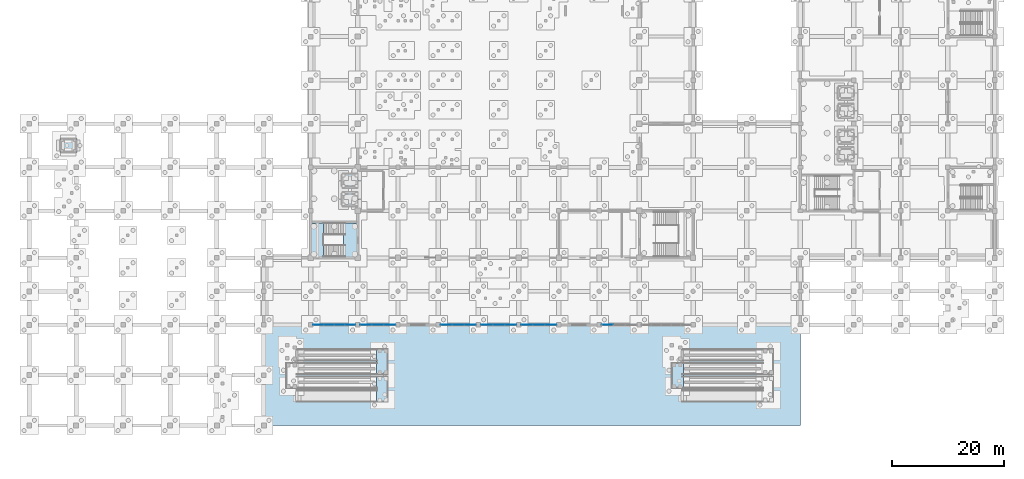
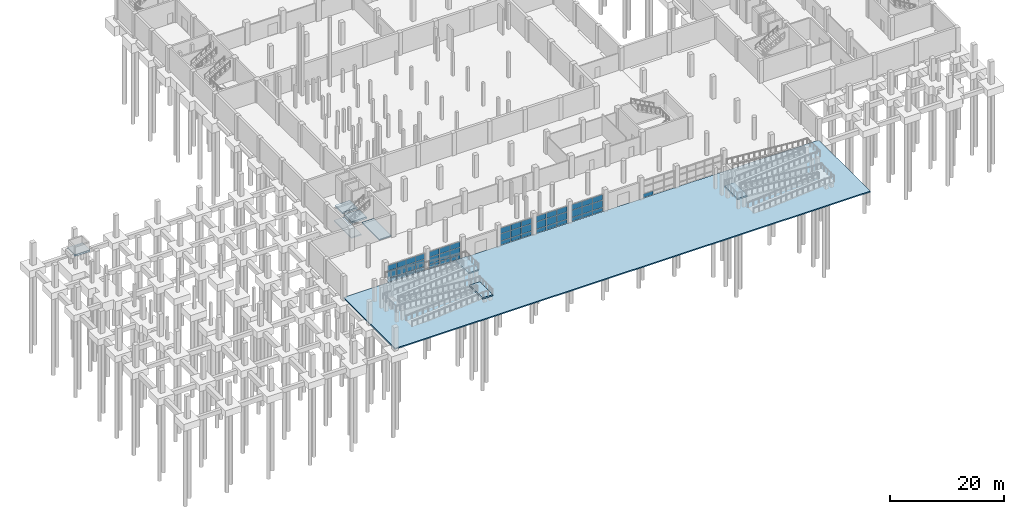
# One storey, part 26 of 42: 49 plates, 9 slabs, 9 elements without a shape of their own.
"""IFC4 building model written with IfcOpenShell, lengths in metres."""

from ifc_helpers import new_model, si_unit, direction, frame, origin, place, context, subcontext, project, spatial, polyline, outline, extrude, material, layer, layer_set, type_object, element, aggregate, save


model = new_model("IFC4")

# Units and contexts
model_context = context("Model", 3, precision=1e-05, world=origin(), true_north=direction((0.0, 1.0)))
body_context = subcontext(model_context, "Body", "Model", "MODEL_VIEW")
ifc_project = project(units=[si_unit("LENGTHUNIT", "METRE"), si_unit("AREAUNIT", "SQUARE_METRE"), si_unit("VOLUMEUNIT", "CUBIC_METRE"), si_unit("PLANEANGLEUNIT", "RADIAN"), si_unit("MASSUNIT", "GRAM", prefix="KILO")], contexts=[model_context])

# Site, building, storey
site_placement = place(None, origin())
site = spatial("IfcSite", under=ifc_project, at=site_placement, CompositionType="ELEMENT")
building_placement = place(site_placement, origin())
building = spatial("IfcBuilding", under=site, at=building_placement, Name="Pellamere Symphony Hall", CompositionType="ELEMENT")
storey_placement = place(building_placement, frame((0.0, 0.0, -4.800048828125)))
storey = spatial("IfcBuildingStorey", under=building, at=storey_placement, Name="B1", CompositionType="ELEMENT", Elevation=-4.800048828125)

# Curtain wall, plates
ifc_material_1 = material(Name="Thermally Broken Anodised Aluminium 6063-T6 Curtain Wall", Category="aluminium")
curtain_wall_type = type_object("IfcCurtainWallType", Name="Curtain Wall CW-02 (Winter-Garden South Concourse Curtain Wall)", PredefinedType="NOTDEFINED", material=ifc_material_1)
curtain_wall_1_placement = place(storey_placement, origin())
curtain_wall_1 = element("IfcCurtainWall", 1, at=curtain_wall_1_placement, inside=storey, type_object=curtain_wall_type, Name="Winter-Garden South Curtain Wall (B1 Bay 1)", PredefinedType="NOTDEFINED")
ifc_material_2 = material(Name="Triple Low-E Argon Acoustic Glazing 36mm", Category="glass")
ifc_layer_1 = layer(ifc_material_2, 0.035888671875, Name="Triple Low-E Argon Acoustic Glazing 36mm")
ifc_layer_set_1 = layer_set([ifc_layer_1], Name="Triple Low-E Argon Acoustic Glazing 36mm")
plate_type_1 = type_object("IfcPlateType", Name="Facade Panel GL-01 36mm", PredefinedType="CURTAIN_PANEL", material=ifc_layer_set_1)
plate_1_placement = place(storey_placement, frame((50.864990234375, 18.0, 0.06494140625), z_axis=(0.0, -1.0, 0.0), x_axis=(1.0, 0.0, 0.0)))
plate_1 = element("IfcPlate", 2, at=plate_1_placement, type_object=plate_type_1, Name="CW2-057 crystal glass panel 1.1", PredefinedType="CURTAIN_PANEL", context=body_context, shape_type="SweptSolid", body=[
    extrude(outline(polyline([(0.0, 0.0), (1.802490234375, 0.0), (1.802490234375, 0.7978515625), (0.0, 0.7978515625), (0.0, 0.0)])), origin(), (0.0, 0.0, -1.0), 0.035888671875),
])
plate_2_placement = place(storey_placement, frame((50.864990234375, 18.0, 0.927734375), z_axis=(0.0, -1.0, 0.0), x_axis=(1.0, 0.0, 0.0)))
plate_2 = element("IfcPlate", 3, at=plate_2_placement, type_object=plate_type_1, Name="CW2-057 crystal glass panel 1.2", PredefinedType="CURTAIN_PANEL", context=body_context, shape_type="SweptSolid", body=[
    extrude(outline(polyline([(0.0, 0.0), (1.802490234375, 0.0), (1.802490234375, 1.501708984375), (0.0, 1.501708984375), (0.0, 0.0)])), origin(), (0.0, 0.0, -1.0), 0.035888671875),
])
plate_3_placement = place(storey_placement, frame((50.864990234375, 18.0, 2.494384765625), z_axis=(0.0, -1.0, 0.0), x_axis=(1.0, 0.0, 0.0)))
plate_3 = element("IfcPlate", 4, at=plate_3_placement, type_object=plate_type_1, Name="CW2-057 crystal glass panel 1.3", PredefinedType="CURTAIN_PANEL", context=body_context, shape_type="SweptSolid", body=[
    extrude(outline(polyline([(0.0, 0.0), (1.802490234375, 0.0), (1.802490234375, 1.170654296875), (0.0, 1.170654296875), (0.0, 0.0)])), origin(), (0.0, 0.0, -1.0), 0.035888671875),
])
plate_4_placement = place(storey_placement, frame((52.732421875, 18.0, 0.06494140625), z_axis=(0.0, -1.0, 0.0), x_axis=(1.0, 0.0, 0.0)))
plate_4 = element("IfcPlate", 5, at=plate_4_placement, type_object=plate_type_1, Name="CW2-057 crystal glass panel 2.1", PredefinedType="CURTAIN_PANEL", context=body_context, shape_type="SweptSolid", body=[
    extrude(outline(polyline([(0.0, 0.0), (1.8349609375, 0.0), (1.8349609375, 0.7978515625), (0.0, 0.7978515625), (0.0, 0.0)])), origin(), (0.0, 0.0, -1.0), 0.035888671875),
])
plate_5_placement = place(storey_placement, frame((52.732421875, 18.0, 0.927734375), z_axis=(0.0, -1.0, 0.0), x_axis=(1.0, 0.0, 0.0)))
plate_5 = element("IfcPlate", 6, at=plate_5_placement, type_object=plate_type_1, Name="CW2-057 crystal glass panel 2.2", PredefinedType="CURTAIN_PANEL", context=body_context, shape_type="SweptSolid", body=[
    extrude(outline(polyline([(0.0, 0.0), (1.8349609375, 0.0), (1.8349609375, 1.501708984375), (0.0, 1.501708984375), (0.0, 0.0)])), origin(), (0.0, 0.0, -1.0), 0.035888671875),
])
plate_6_placement = place(storey_placement, frame((52.732421875, 18.0, 2.494384765625), z_axis=(0.0, -1.0, 0.0), x_axis=(1.0, 0.0, 0.0)))
plate_6 = element("IfcPlate", 7, at=plate_6_placement, type_object=plate_type_1, Name="CW2-057 crystal glass panel 2.3", PredefinedType="CURTAIN_PANEL", context=body_context, shape_type="SweptSolid", body=[
    extrude(outline(polyline([(0.0, 0.0), (1.8349609375, 0.0), (1.8349609375, 1.170654296875), (0.0, 1.170654296875), (0.0, 0.0)])), origin(), (0.0, 0.0, -1.0), 0.035888671875),
])
plate_7_placement = place(storey_placement, frame((54.632568359375, 18.0, 0.06494140625), z_axis=(0.0, -1.0, 0.0), x_axis=(1.0, 0.0, 0.0)))
plate_7 = element("IfcPlate", 8, at=plate_7_placement, type_object=plate_type_1, Name="CW2-057 crystal glass panel 3.1", PredefinedType="CURTAIN_PANEL", context=body_context, shape_type="SweptSolid", body=[
    extrude(outline(polyline([(0.0, 0.0), (1.8349609375, 0.0), (1.8349609375, 0.7978515625), (0.0, 0.7978515625), (0.0, 0.0)])), origin(), (0.0, 0.0, -1.0), 0.035888671875),
])
plate_8_placement = place(storey_placement, frame((54.632568359375, 18.0, 0.927734375), z_axis=(0.0, -1.0, 0.0), x_axis=(1.0, 0.0, 0.0)))
plate_8 = element("IfcPlate", 9, at=plate_8_placement, type_object=plate_type_1, Name="CW2-057 crystal glass panel 3.2", PredefinedType="CURTAIN_PANEL", context=body_context, shape_type="SweptSolid", body=[
    extrude(outline(polyline([(0.0, 0.0), (1.8349609375, 0.0), (1.8349609375, 1.501708984375), (0.0, 1.501708984375), (0.0, 0.0)])), origin(), (0.0, 0.0, -1.0), 0.035888671875),
])
plate_9_placement = place(storey_placement, frame((54.632568359375, 18.0, 2.494384765625), z_axis=(0.0, -1.0, 0.0), x_axis=(1.0, 0.0, 0.0)))
plate_9 = element("IfcPlate", 10, at=plate_9_placement, type_object=plate_type_1, Name="CW2-057 crystal glass panel 3.3", PredefinedType="CURTAIN_PANEL", context=body_context, shape_type="SweptSolid", body=[
    extrude(outline(polyline([(0.0, 0.0), (1.8349609375, 0.0), (1.8349609375, 1.170654296875), (0.0, 1.170654296875), (0.0, 0.0)])), origin(), (0.0, 0.0, -1.0), 0.035888671875),
])
plate_10_placement = place(storey_placement, frame((56.532470703125, 18.0, 0.06494140625), z_axis=(0.0, -1.0, 0.0), x_axis=(1.0, 0.0, 0.0)))
plate_10 = element("IfcPlate", 11, at=plate_10_placement, type_object=plate_type_1, Name="CW2-057 crystal glass panel 4.1", PredefinedType="CURTAIN_PANEL", context=body_context, shape_type="SweptSolid", body=[
    extrude(outline(polyline([(0.0, 0.0), (1.802490234375, 0.0), (1.802490234375, 0.7978515625), (0.0, 0.7978515625), (0.0, 0.0)])), origin(), (0.0, 0.0, -1.0), 0.035888671875),
])
plate_11_placement = place(storey_placement, frame((56.532470703125, 18.0, 0.927734375), z_axis=(0.0, -1.0, 0.0), x_axis=(1.0, 0.0, 0.0)))
plate_11 = element("IfcPlate", 12, at=plate_11_placement, type_object=plate_type_1, Name="CW2-057 crystal glass panel 4.2", PredefinedType="CURTAIN_PANEL", context=body_context, shape_type="SweptSolid", body=[
    extrude(outline(polyline([(0.0, 0.0), (1.802490234375, 0.0), (1.802490234375, 1.501708984375), (0.0, 1.501708984375), (0.0, 0.0)])), origin(), (0.0, 0.0, -1.0), 0.035888671875),
])
plate_12_placement = place(storey_placement, frame((56.532470703125, 18.0, 2.494384765625), z_axis=(0.0, -1.0, 0.0), x_axis=(1.0, 0.0, 0.0)))
plate_12 = element("IfcPlate", 13, at=plate_12_placement, type_object=plate_type_1, Name="CW2-057 crystal glass panel 4.3", PredefinedType="CURTAIN_PANEL", context=body_context, shape_type="SweptSolid", body=[
    extrude(outline(polyline([(0.0, 0.0), (1.802490234375, 0.0), (1.802490234375, 1.170654296875), (0.0, 1.170654296875), (0.0, 0.0)])), origin(), (0.0, 0.0, -1.0), 0.035888671875),
])
aggregate(curtain_wall_1, [plate_1, plate_2, plate_3, plate_4, plate_5, plate_6, plate_7, plate_8, plate_9, plate_10, plate_11, plate_12])

curtain_wall_2_placement = place(storey_placement, origin())
curtain_wall_2 = element("IfcCurtainWall", 14, at=curtain_wall_2_placement, inside=storey, type_object=curtain_wall_type, Name="Winter-Garden South Curtain Wall (B1 Bay 2)", PredefinedType="NOTDEFINED")
plate_13_placement = place(storey_placement, frame((59.264892578125, 18.0, 0.06494140625), z_axis=(0.0, -1.0, 0.0), x_axis=(1.0, 0.0, 0.0)))
plate_13 = element("IfcPlate", 15, at=plate_13_placement, type_object=plate_type_1, Name="CW2-058 crystal glass panel 1.1", PredefinedType="CURTAIN_PANEL", context=body_context, shape_type="SweptSolid", body=[
    extrude(outline(polyline([(0.0, 0.0), (2.035888671875, 0.0), (2.035888671875, 0.7978515625), (0.0, 0.7978515625), (0.0, 0.0)])), origin(), (0.0, 0.0, -1.0), 0.035888671875),
])
plate_14_placement = place(storey_placement, frame((59.264892578125, 18.0, 0.927734375), z_axis=(0.0, -1.0, 0.0), x_axis=(1.0, 0.0, 0.0)))
plate_14 = element("IfcPlate", 16, at=plate_14_placement, type_object=plate_type_1, Name="CW2-058 crystal glass panel 1.2", PredefinedType="CURTAIN_PANEL", context=body_context, shape_type="SweptSolid", body=[
    extrude(outline(polyline([(0.0, 0.0), (2.035888671875, 0.0), (2.035888671875, 1.501708984375), (0.0, 1.501708984375), (0.0, 0.0)])), origin(), (0.0, 0.0, -1.0), 0.035888671875),
])
plate_15_placement = place(storey_placement, frame((59.264892578125, 18.0, 2.494384765625), z_axis=(0.0, -1.0, 0.0), x_axis=(1.0, 0.0, 0.0)))
plate_15 = element("IfcPlate", 17, at=plate_15_placement, type_object=plate_type_1, Name="CW2-058 crystal glass panel 1.3", PredefinedType="CURTAIN_PANEL", context=body_context, shape_type="SweptSolid", body=[
    extrude(outline(polyline([(0.0, 0.0), (2.035888671875, 0.0), (2.035888671875, 1.170654296875), (0.0, 1.170654296875), (0.0, 0.0)])), origin(), (0.0, 0.0, -1.0), 0.035888671875),
])
plate_16_placement = place(storey_placement, frame((61.36572265625, 18.0, 0.06494140625), z_axis=(0.0, -1.0, 0.0), x_axis=(1.0, 0.0, 0.0)))
plate_16 = element("IfcPlate", 18, at=plate_16_placement, type_object=plate_type_1, Name="CW2-058 crystal glass panel 2.1", PredefinedType="CURTAIN_PANEL", context=body_context, shape_type="SweptSolid", body=[
    extrude(outline(polyline([(0.0, 0.0), (2.068359375, 0.0), (2.068359375, 0.7978515625), (0.0, 0.7978515625), (0.0, 0.0)])), origin(), (0.0, 0.0, -1.0), 0.035888671875),
])
plate_17_placement = place(storey_placement, frame((61.36572265625, 18.0, 0.927734375), z_axis=(0.0, -1.0, 0.0), x_axis=(1.0, 0.0, 0.0)))
plate_17 = element("IfcPlate", 19, at=plate_17_placement, type_object=plate_type_1, Name="CW2-058 crystal glass panel 2.2", PredefinedType="CURTAIN_PANEL", context=body_context, shape_type="SweptSolid", body=[
    extrude(outline(polyline([(0.0, 0.0), (2.068359375, 0.0), (2.068359375, 1.501708984375), (0.0, 1.501708984375), (0.0, 0.0)])), origin(), (0.0, 0.0, -1.0), 0.035888671875),
])
plate_18_placement = place(storey_placement, frame((61.36572265625, 18.0, 2.494384765625), z_axis=(0.0, -1.0, 0.0), x_axis=(1.0, 0.0, 0.0)))
plate_18 = element("IfcPlate", 20, at=plate_18_placement, type_object=plate_type_1, Name="CW2-058 crystal glass panel 2.3", PredefinedType="CURTAIN_PANEL", context=body_context, shape_type="SweptSolid", body=[
    extrude(outline(polyline([(0.0, 0.0), (2.068359375, 0.0), (2.068359375, 1.170654296875), (0.0, 1.170654296875), (0.0, 0.0)])), origin(), (0.0, 0.0, -1.0), 0.035888671875),
])
plate_19_placement = place(storey_placement, frame((63.499267578125, 18.0, 0.06494140625), z_axis=(0.0, -1.0, 0.0), x_axis=(1.0, 0.0, 0.0)))
plate_19 = element("IfcPlate", 21, at=plate_19_placement, type_object=plate_type_1, Name="CW2-058 crystal glass panel 3.1", PredefinedType="CURTAIN_PANEL", context=body_context, shape_type="SweptSolid", body=[
    extrude(outline(polyline([(0.0, 0.0), (2.03564453125, 0.0), (2.03564453125, 0.7978515625), (0.0, 0.7978515625), (0.0, 0.0)])), origin(), (0.0, 0.0, -1.0), 0.035888671875),
])
plate_20_placement = place(storey_placement, frame((63.499267578125, 18.0, 0.927734375), z_axis=(0.0, -1.0, 0.0), x_axis=(1.0, 0.0, 0.0)))
plate_20 = element("IfcPlate", 22, at=plate_20_placement, type_object=plate_type_1, Name="CW2-058 crystal glass panel 3.2", PredefinedType="CURTAIN_PANEL", context=body_context, shape_type="SweptSolid", body=[
    extrude(outline(polyline([(0.0, 0.0), (2.03564453125, 0.0), (2.03564453125, 1.501708984375), (0.0, 1.501708984375), (0.0, 0.0)])), origin(), (0.0, 0.0, -1.0), 0.035888671875),
])
plate_21_placement = place(storey_placement, frame((63.499267578125, 18.0, 2.494384765625), z_axis=(0.0, -1.0, 0.0), x_axis=(1.0, 0.0, 0.0)))
plate_21 = element("IfcPlate", 23, at=plate_21_placement, type_object=plate_type_1, Name="CW2-058 crystal glass panel 3.3", PredefinedType="CURTAIN_PANEL", context=body_context, shape_type="SweptSolid", body=[
    extrude(outline(polyline([(0.0, 0.0), (2.03564453125, 0.0), (2.03564453125, 1.170654296875), (0.0, 1.170654296875), (0.0, 0.0)])), origin(), (0.0, 0.0, -1.0), 0.035888671875),
])
aggregate(curtain_wall_2, [plate_13, plate_14, plate_15, plate_16, plate_17, plate_18, plate_19, plate_20, plate_21])

curtain_wall_3_placement = place(storey_placement, origin())
curtain_wall_3 = element("IfcCurtainWall", 24, at=curtain_wall_3_placement, inside=storey, type_object=curtain_wall_type, Name="Winter-Garden South Curtain Wall (B1 Bay 4)", PredefinedType="NOTDEFINED")
plate_22_placement = place(storey_placement, frame((73.6650390625, 18.0, 0.06494140625), z_axis=(0.0, -1.0, 0.0), x_axis=(1.0, 0.0, 0.0)))
plate_22 = element("IfcPlate", 25, at=plate_22_placement, type_object=plate_type_1, Name="CW2-059 crystal glass panel 1.1", PredefinedType="CURTAIN_PANEL", context=body_context, shape_type="SweptSolid", body=[
    extrude(outline(polyline([(0.0, 0.0), (2.035888671875, 0.0), (2.035888671875, 0.7978515625), (0.0, 0.7978515625), (0.0, 0.0)])), origin(), (0.0, 0.0, -1.0), 0.035888671875),
])
plate_23_placement = place(storey_placement, frame((73.6650390625, 18.0, 0.927734375), z_axis=(0.0, -1.0, 0.0), x_axis=(1.0, 0.0, 0.0)))
plate_23 = element("IfcPlate", 26, at=plate_23_placement, type_object=plate_type_1, Name="CW2-059 crystal glass panel 1.2", PredefinedType="CURTAIN_PANEL", context=body_context, shape_type="SweptSolid", body=[
    extrude(outline(polyline([(0.0, 0.0), (2.035888671875, 0.0), (2.035888671875, 1.501708984375), (0.0, 1.501708984375), (0.0, 0.0)])), origin(), (0.0, 0.0, -1.0), 0.035888671875),
])
plate_24_placement = place(storey_placement, frame((73.6650390625, 18.0, 2.494384765625), z_axis=(0.0, -1.0, 0.0), x_axis=(1.0, 0.0, 0.0)))
plate_24 = element("IfcPlate", 27, at=plate_24_placement, type_object=plate_type_1, Name="CW2-059 crystal glass panel 1.3", PredefinedType="CURTAIN_PANEL", context=body_context, shape_type="SweptSolid", body=[
    extrude(outline(polyline([(0.0, 0.0), (2.035888671875, 0.0), (2.035888671875, 1.170654296875), (0.0, 1.170654296875), (0.0, 0.0)])), origin(), (0.0, 0.0, -1.0), 0.035888671875),
])
plate_25_placement = place(storey_placement, frame((75.765869140625, 18.0, 0.06494140625), z_axis=(0.0, -1.0, 0.0), x_axis=(1.0, 0.0, 0.0)))
plate_25 = element("IfcPlate", 28, at=plate_25_placement, type_object=plate_type_1, Name="CW2-059 crystal glass panel 2.1", PredefinedType="CURTAIN_PANEL", context=body_context, shape_type="SweptSolid", body=[
    extrude(outline(polyline([(0.0, 0.0), (2.068359375, 0.0), (2.068359375, 0.7978515625), (0.0, 0.7978515625), (0.0, 0.0)])), origin(), (0.0, 0.0, -1.0), 0.035888671875),
])
plate_26_placement = place(storey_placement, frame((75.765869140625, 18.0, 0.927734375), z_axis=(0.0, -1.0, 0.0), x_axis=(1.0, 0.0, 0.0)))
plate_26 = element("IfcPlate", 29, at=plate_26_placement, type_object=plate_type_1, Name="CW2-059 crystal glass panel 2.2", PredefinedType="CURTAIN_PANEL", context=body_context, shape_type="SweptSolid", body=[
    extrude(outline(polyline([(0.0, 0.0), (2.068359375, 0.0), (2.068359375, 1.501708984375), (0.0, 1.501708984375), (0.0, 0.0)])), origin(), (0.0, 0.0, -1.0), 0.035888671875),
])
plate_27_placement = place(storey_placement, frame((75.765869140625, 18.0, 2.494384765625), z_axis=(0.0, -1.0, 0.0), x_axis=(1.0, 0.0, 0.0)))
plate_27 = element("IfcPlate", 30, at=plate_27_placement, type_object=plate_type_1, Name="CW2-059 crystal glass panel 2.3", PredefinedType="CURTAIN_PANEL", context=body_context, shape_type="SweptSolid", body=[
    extrude(outline(polyline([(0.0, 0.0), (2.068359375, 0.0), (2.068359375, 1.170654296875), (0.0, 1.170654296875), (0.0, 0.0)])), origin(), (0.0, 0.0, -1.0), 0.035888671875),
])
plate_28_placement = place(storey_placement, frame((77.899169921875, 18.0, 0.06494140625), z_axis=(0.0, -1.0, 0.0), x_axis=(1.0, 0.0, 0.0)))
plate_28 = element("IfcPlate", 31, at=plate_28_placement, type_object=plate_type_1, Name="CW2-059 crystal glass panel 3.1", PredefinedType="CURTAIN_PANEL", context=body_context, shape_type="SweptSolid", body=[
    extrude(outline(polyline([(0.0, 0.0), (2.035888671875, 0.0), (2.035888671875, 0.7978515625), (0.0, 0.7978515625), (0.0, 0.0)])), origin(), (0.0, 0.0, -1.0), 0.035888671875),
])
plate_29_placement = place(storey_placement, frame((77.899169921875, 18.0, 0.927734375), z_axis=(0.0, -1.0, 0.0), x_axis=(1.0, 0.0, 0.0)))
plate_29 = element("IfcPlate", 32, at=plate_29_placement, type_object=plate_type_1, Name="CW2-059 crystal glass panel 3.2", PredefinedType="CURTAIN_PANEL", context=body_context, shape_type="SweptSolid", body=[
    extrude(outline(polyline([(0.0, 0.0), (2.035888671875, 0.0), (2.035888671875, 1.501708984375), (0.0, 1.501708984375), (0.0, 0.0)])), origin(), (0.0, 0.0, -1.0), 0.035888671875),
])
plate_30_placement = place(storey_placement, frame((77.899169921875, 18.0, 2.494384765625), z_axis=(0.0, -1.0, 0.0), x_axis=(1.0, 0.0, 0.0)))
plate_30 = element("IfcPlate", 33, at=plate_30_placement, type_object=plate_type_1, Name="CW2-059 crystal glass panel 3.3", PredefinedType="CURTAIN_PANEL", context=body_context, shape_type="SweptSolid", body=[
    extrude(outline(polyline([(0.0, 0.0), (2.035888671875, 0.0), (2.035888671875, 1.170654296875), (0.0, 1.170654296875), (0.0, 0.0)])), origin(), (0.0, 0.0, -1.0), 0.035888671875),
])
aggregate(curtain_wall_3, [plate_22, plate_23, plate_24, plate_25, plate_26, plate_27, plate_28, plate_29, plate_30])

curtain_wall_4_placement = place(storey_placement, origin())
curtain_wall_4 = element("IfcCurtainWall", 34, at=curtain_wall_4_placement, inside=storey, type_object=curtain_wall_type, Name="Winter-Garden South Curtain Wall (B1 Bay 5)", PredefinedType="NOTDEFINED")
plate_31_placement = place(storey_placement, frame((80.864990234375, 18.0, 0.06494140625), z_axis=(0.0, -1.0, 0.0), x_axis=(1.0, 0.0, 0.0)))
plate_31 = element("IfcPlate", 35, at=plate_31_placement, type_object=plate_type_1, Name="CW2-060 crystal glass panel 1.1", PredefinedType="CURTAIN_PANEL", context=body_context, shape_type="SweptSolid", body=[
    extrude(outline(polyline([(0.0, 0.0), (2.035888671875, 0.0), (2.035888671875, 0.7978515625), (0.0, 0.7978515625), (0.0, 0.0)])), origin(), (0.0, 0.0, -1.0), 0.035888671875),
])
plate_32_placement = place(storey_placement, frame((80.864990234375, 18.0, 0.927734375), z_axis=(0.0, -1.0, 0.0), x_axis=(1.0, 0.0, 0.0)))
plate_32 = element("IfcPlate", 36, at=plate_32_placement, type_object=plate_type_1, Name="CW2-060 crystal glass panel 1.2", PredefinedType="CURTAIN_PANEL", context=body_context, shape_type="SweptSolid", body=[
    extrude(outline(polyline([(0.0, 0.0), (2.035888671875, 0.0), (2.035888671875, 1.501708984375), (0.0, 1.501708984375), (0.0, 0.0)])), origin(), (0.0, 0.0, -1.0), 0.035888671875),
])
plate_33_placement = place(storey_placement, frame((80.864990234375, 18.0, 2.494384765625), z_axis=(0.0, -1.0, 0.0), x_axis=(1.0, 0.0, 0.0)))
plate_33 = element("IfcPlate", 37, at=plate_33_placement, type_object=plate_type_1, Name="CW2-060 crystal glass panel 1.3", PredefinedType="CURTAIN_PANEL", context=body_context, shape_type="SweptSolid", body=[
    extrude(outline(polyline([(0.0, 0.0), (2.035888671875, 0.0), (2.035888671875, 1.170654296875), (0.0, 1.170654296875), (0.0, 0.0)])), origin(), (0.0, 0.0, -1.0), 0.035888671875),
])
plate_34_placement = place(storey_placement, frame((82.9658203125, 18.0, 0.06494140625), z_axis=(0.0, -1.0, 0.0), x_axis=(1.0, 0.0, 0.0)))
plate_34 = element("IfcPlate", 38, at=plate_34_placement, type_object=plate_type_1, Name="CW2-060 crystal glass panel 2.1", PredefinedType="CURTAIN_PANEL", context=body_context, shape_type="SweptSolid", body=[
    extrude(outline(polyline([(0.0, 0.0), (2.068359375, 0.0), (2.068359375, 0.7978515625), (0.0, 0.7978515625), (0.0, 0.0)])), origin(), (0.0, 0.0, -1.0), 0.035888671875),
])
plate_35_placement = place(storey_placement, frame((82.9658203125, 18.0, 0.927734375), z_axis=(0.0, -1.0, 0.0), x_axis=(1.0, 0.0, 0.0)))
plate_35 = element("IfcPlate", 39, at=plate_35_placement, type_object=plate_type_1, Name="CW2-060 crystal glass panel 2.2", PredefinedType="CURTAIN_PANEL", context=body_context, shape_type="SweptSolid", body=[
    extrude(outline(polyline([(0.0, 0.0), (2.068359375, 0.0), (2.068359375, 1.501708984375), (0.0, 1.501708984375), (0.0, 0.0)])), origin(), (0.0, 0.0, -1.0), 0.035888671875),
])
plate_36_placement = place(storey_placement, frame((82.9658203125, 18.0, 2.494384765625), z_axis=(0.0, -1.0, 0.0), x_axis=(1.0, 0.0, 0.0)))
plate_36 = element("IfcPlate", 40, at=plate_36_placement, type_object=plate_type_1, Name="CW2-060 crystal glass panel 2.3", PredefinedType="CURTAIN_PANEL", context=body_context, shape_type="SweptSolid", body=[
    extrude(outline(polyline([(0.0, 0.0), (2.068359375, 0.0), (2.068359375, 1.170654296875), (0.0, 1.170654296875), (0.0, 0.0)])), origin(), (0.0, 0.0, -1.0), 0.035888671875),
])
plate_37_placement = place(storey_placement, frame((85.09912109375, 18.0, 0.06494140625), z_axis=(0.0, -1.0, 0.0), x_axis=(1.0, 0.0, 0.0)))
plate_37 = element("IfcPlate", 41, at=plate_37_placement, type_object=plate_type_1, Name="CW2-060 crystal glass panel 3.1", PredefinedType="CURTAIN_PANEL", context=body_context, shape_type="SweptSolid", body=[
    extrude(outline(polyline([(0.0, 0.0), (2.035888671875, 0.0), (2.035888671875, 0.7978515625), (0.0, 0.7978515625), (0.0, 0.0)])), origin(), (0.0, 0.0, -1.0), 0.035888671875),
])
plate_38_placement = place(storey_placement, frame((85.09912109375, 18.0, 0.927734375), z_axis=(0.0, -1.0, 0.0), x_axis=(1.0, 0.0, 0.0)))
plate_38 = element("IfcPlate", 42, at=plate_38_placement, type_object=plate_type_1, Name="CW2-060 crystal glass panel 3.2", PredefinedType="CURTAIN_PANEL", context=body_context, shape_type="SweptSolid", body=[
    extrude(outline(polyline([(0.0, 0.0), (2.035888671875, 0.0), (2.035888671875, 1.501708984375), (0.0, 1.501708984375), (0.0, 0.0)])), origin(), (0.0, 0.0, -1.0), 0.035888671875),
])
plate_39_placement = place(storey_placement, frame((85.09912109375, 18.0, 2.494384765625), z_axis=(0.0, -1.0, 0.0), x_axis=(1.0, 0.0, 0.0)))
plate_39 = element("IfcPlate", 43, at=plate_39_placement, type_object=plate_type_1, Name="CW2-060 crystal glass panel 3.3", PredefinedType="CURTAIN_PANEL", context=body_context, shape_type="SweptSolid", body=[
    extrude(outline(polyline([(0.0, 0.0), (2.035888671875, 0.0), (2.035888671875, 1.170654296875), (0.0, 1.170654296875), (0.0, 0.0)])), origin(), (0.0, 0.0, -1.0), 0.035888671875),
])
aggregate(curtain_wall_4, [plate_31, plate_32, plate_33, plate_34, plate_35, plate_36, plate_37, plate_38, plate_39])

# Curtain wall, plate
curtain_wall_5_placement = place(storey_placement, origin())
curtain_wall_5 = element("IfcCurtainWall", 44, at=curtain_wall_5_placement, inside=storey, type_object=curtain_wall_type, Name="Winter-Garden South Curtain Wall (B1 Bay 8)", PredefinedType="NOTDEFINED")
plate_40_placement = place(storey_placement, frame((102.465087890625, 18.0, 0.06494140625), z_axis=(0.0, -1.0, 0.0), x_axis=(1.0, 0.0, 0.0)))
plate_40 = element("IfcPlate", 45, at=plate_40_placement, type_object=plate_type_1, Name="CW2-062 crystal glass panel 1.1", PredefinedType="CURTAIN_PANEL", context=body_context, shape_type="SweptSolid", body=[
    extrude(outline(polyline([(0.0, 0.0), (2.03564453125, 0.0), (2.03564453125, 0.7978515625), (0.0, 0.7978515625), (0.0, 0.0)])), origin(), (0.0, 0.0, -1.0), 0.035888671875),
])
aggregate(curtain_wall_5, [plate_40])

# Curtain wall, plates
curtain_wall_6_placement = place(storey_placement, origin())
curtain_wall_6 = element("IfcCurtainWall", 46, at=curtain_wall_6_placement, inside=storey, type_object=curtain_wall_type, Name="Winter-Garden South Curtain Wall (B1 Bay 6)", PredefinedType="NOTDEFINED")
ifc_material_3 = material(Name="Mineral-Wool Insulated Dark Zinc Spandrel Panel", Category="aluminium")
ifc_layer_2 = layer(ifc_material_3, 0.054931640625, Name="Mineral-Wool Insulated Dark Zinc Spandrel Panel")
ifc_layer_set_2 = layer_set([ifc_layer_2], Name="Mineral-Wool Insulated Dark Zinc Spandrel Panel")
plate_type_2 = type_object("IfcPlateType", Name="Facade Panel SP-02 55mm", PredefinedType="CURTAIN_PANEL", material=ifc_layer_set_2)
plate_41_placement = place(storey_placement, frame((88.06494140625, 18.0, 0.06494140625), z_axis=(0.0, -1.0, 0.0), x_axis=(1.0, 0.0, 0.0)))
plate_41 = element("IfcPlate", 47, at=plate_41_placement, type_object=plate_type_2, Name="CW2-061 crystal glass panel 1.1", PredefinedType="CURTAIN_PANEL", context=body_context, shape_type="SweptSolid", body=[
    extrude(outline(polyline([(0.0, 0.0), (2.035888671875, 0.0), (2.035888671875, 0.7978515625), (0.0, 0.7978515625), (0.0, 0.0)])), origin(), (0.0, 0.0, -1.0), 0.054931640625),
])
plate_42_placement = place(storey_placement, frame((88.06494140625, 18.0, 0.927734375), z_axis=(0.0, -1.0, 0.0), x_axis=(1.0, 0.0, 0.0)))
plate_42 = element("IfcPlate", 48, at=plate_42_placement, type_object=plate_type_2, Name="CW2-061 crystal glass panel 1.2", PredefinedType="CURTAIN_PANEL", context=body_context, shape_type="SweptSolid", body=[
    extrude(outline(polyline([(0.0, 0.0), (2.035888671875, 0.0), (2.035888671875, 1.501708984375), (0.0, 1.501708984375), (0.0, 0.0)])), origin(), (0.0, 0.0, -1.0), 0.054931640625),
])
plate_43_placement = place(storey_placement, frame((88.06494140625, 18.0, 2.494384765625), z_axis=(0.0, -1.0, 0.0), x_axis=(1.0, 0.0, 0.0)))
plate_43 = element("IfcPlate", 49, at=plate_43_placement, type_object=plate_type_2, Name="CW2-061 crystal glass panel 1.3", PredefinedType="CURTAIN_PANEL", context=body_context, shape_type="SweptSolid", body=[
    extrude(outline(polyline([(0.0, 0.0), (2.035888671875, 0.0), (2.035888671875, 1.170654296875), (0.0, 1.170654296875), (0.0, 0.0)])), origin(), (0.0, 0.0, -1.0), 0.054931640625),
])
plate_44_placement = place(storey_placement, frame((90.165771484375, 18.0, 0.06494140625), z_axis=(0.0, -1.0, 0.0), x_axis=(1.0, 0.0, 0.0)))
plate_44 = element("IfcPlate", 50, at=plate_44_placement, type_object=plate_type_2, Name="CW2-061 crystal glass panel 2.1", PredefinedType="CURTAIN_PANEL", context=body_context, shape_type="SweptSolid", body=[
    extrude(outline(polyline([(0.0, 0.0), (2.068359375, 0.0), (2.068359375, 0.7978515625), (0.0, 0.7978515625), (0.0, 0.0)])), origin(), (0.0, 0.0, -1.0), 0.054931640625),
])
plate_45_placement = place(storey_placement, frame((90.165771484375, 18.0, 0.927734375), z_axis=(0.0, -1.0, 0.0), x_axis=(1.0, 0.0, 0.0)))
plate_45 = element("IfcPlate", 51, at=plate_45_placement, type_object=plate_type_2, Name="CW2-061 crystal glass panel 2.2", PredefinedType="CURTAIN_PANEL", context=body_context, shape_type="SweptSolid", body=[
    extrude(outline(polyline([(0.0, 0.0), (2.068359375, 0.0), (2.068359375, 1.501708984375), (0.0, 1.501708984375), (0.0, 0.0)])), origin(), (0.0, 0.0, -1.0), 0.054931640625),
])
plate_46_placement = place(storey_placement, frame((90.165771484375, 18.0, 2.494384765625), z_axis=(0.0, -1.0, 0.0), x_axis=(1.0, 0.0, 0.0)))
plate_46 = element("IfcPlate", 52, at=plate_46_placement, type_object=plate_type_2, Name="CW2-061 crystal glass panel 2.3", PredefinedType="CURTAIN_PANEL", context=body_context, shape_type="SweptSolid", body=[
    extrude(outline(polyline([(0.0, 0.0), (2.068359375, 0.0), (2.068359375, 1.170654296875), (0.0, 1.170654296875), (0.0, 0.0)])), origin(), (0.0, 0.0, -1.0), 0.054931640625),
])
plate_47_placement = place(storey_placement, frame((92.299072265625, 18.0, 0.06494140625), z_axis=(0.0, -1.0, 0.0), x_axis=(1.0, 0.0, 0.0)))
plate_47 = element("IfcPlate", 53, at=plate_47_placement, type_object=plate_type_2, Name="CW2-061 crystal glass panel 3.1", PredefinedType="CURTAIN_PANEL", context=body_context, shape_type="SweptSolid", body=[
    extrude(outline(polyline([(0.0, 0.0), (2.035888671875, 0.0), (2.035888671875, 0.7978515625), (0.0, 0.7978515625), (0.0, 0.0)])), origin(), (0.0, 0.0, -1.0), 0.054931640625),
])
plate_48_placement = place(storey_placement, frame((92.299072265625, 18.0, 0.927734375), z_axis=(0.0, -1.0, 0.0), x_axis=(1.0, 0.0, 0.0)))
plate_48 = element("IfcPlate", 54, at=plate_48_placement, type_object=plate_type_2, Name="CW2-061 crystal glass panel 3.2", PredefinedType="CURTAIN_PANEL", context=body_context, shape_type="SweptSolid", body=[
    extrude(outline(polyline([(0.0, 0.0), (2.035888671875, 0.0), (2.035888671875, 1.501708984375), (0.0, 1.501708984375), (0.0, 0.0)])), origin(), (0.0, 0.0, -1.0), 0.054931640625),
])
plate_49_placement = place(storey_placement, frame((92.299072265625, 18.0, 2.494384765625), z_axis=(0.0, -1.0, 0.0), x_axis=(1.0, 0.0, 0.0)))
plate_49 = element("IfcPlate", 55, at=plate_49_placement, type_object=plate_type_2, Name="CW2-061 crystal glass panel 3.3", PredefinedType="CURTAIN_PANEL", context=body_context, shape_type="SweptSolid", body=[
    extrude(outline(polyline([(0.0, 0.0), (2.035888671875, 0.0), (2.035888671875, 1.170654296875), (0.0, 1.170654296875), (0.0, 0.0)])), origin(), (0.0, 0.0, -1.0), 0.054931640625),
])
aggregate(curtain_wall_6, [plate_41, plate_42, plate_43, plate_44, plate_45, plate_46, plate_47, plate_48, plate_49])

# Stair, slabs
ifc_material_4 = material(Name="Concrete 40 MPa", Category="concrete")
stair_type = type_object("IfcStairType", Name="Stair ST-B W2050", PredefinedType="HALF_TURN_STAIR", material=ifc_material_4)
stair_placement = place(storey_placement, origin())
stair = element("IfcStair", 56, at=stair_placement, inside=storey, type_object=stair_type, Name="Exit Stair ST01-B1 (B1 to L00)", PredefinedType="HALF_TURN_STAIR")
ifc_layer_3 = layer(ifc_material_4, 0.219970703125, Name="Concrete 40 MPa")
ifc_layer_set_3 = layer_set([ifc_layer_3], Name="Concrete 40 MPa")
slab_type_1 = type_object("IfcSlabType", Name="Stair Landing SL-01 220mm", PredefinedType="LANDING", material=ifc_layer_set_3)
slab_1_placement = place(storey_placement, frame((0.0, 0.0, -0.219970703125)))
slab_1 = element("IfcSlab", 57, at=slab_1_placement, type_object=slab_type_1, Name="Stair ST01-B1 Bottom Landing (B1)", PredefinedType="LANDING", context=body_context, shape_type="SweptSolid", body=[
    extrude(outline(polyline([(56.22509765625, 30.159912109375), (58.639892578125, 30.159912109375), (58.639892578125, 36.239990234375), (56.22509765625, 36.239990234375), (56.22509765625, 30.159912109375)])), origin(), (0.0, 0.0, 1.0), 0.219970703125),
])
slab_2_placement = place(storey_placement, frame((0.0, 0.0, 2.179931640625)))
slab_2 = element("IfcSlab", 58, at=slab_2_placement, type_object=slab_type_1, Name="Stair ST01-B1 Half Landing (B1)", PredefinedType="LANDING", context=body_context, shape_type="SweptSolid", body=[
    extrude(outline(polyline([(50.56005859375, 30.159912109375), (52.625, 30.159912109375), (52.625, 36.239990234375), (50.56005859375, 36.239990234375), (50.56005859375, 30.159912109375)])), origin(), (0.0, 0.0, 1.0), 0.22021484375),
])
aggregate(stair, [slab_1, slab_2])

# Slabs
ifc_material_5 = material(Name="Concrete 35 MPa", Category="concrete")
ifc_layer_4 = layer(ifc_material_5, 0.25, Name="Concrete 35 MPa")
ifc_layer_set_4 = layer_set([ifc_layer_4], Name="Concrete 35 MPa")
slab_type_2 = type_object("IfcSlabType", Name="Structural Slab AP-01 250mm", PredefinedType="USERDEFINED", material=ifc_layer_set_4)
slab_3_placement = place(storey_placement, frame((0.0, 0.0, -0.25)))
element("IfcSlab", 59, at=slab_3_placement, inside=storey, type_object=slab_type_2, Name="Outdoor Sunken Metro Forecourt Paving", ObjectType="PAVING DECK", PredefinedType="USERDEFINED", context=body_context, shape_type="SweptSolid", body=[
    extrude(outline(polyline([(138.0, 0.0), (138.0, 18.0), (42.0, 18.0), (42.0, 0.0), (138.0, 0.0)])), origin(), (0.0, 0.0, 1.0), 0.25),
])
ifc_layer_5 = layer(ifc_material_4, 0.3798828125, Name="Concrete 40 MPa")
ifc_layer_set_5 = layer_set([ifc_layer_5], Name="Concrete 40 MPa")
slab_type_3 = type_object("IfcSlabType", Name="Structural Slab BS-02 380mm", PredefinedType="BASESLAB", material=ifc_layer_set_5)
slab_4_placement = place(storey_placement, frame((0.0, 0.0, -1.97998046875)))
element("IfcSlab", 60, at=slab_4_placement, inside=storey, type_object=slab_type_3, Name="Elevator PL1 Pit Base Slab", PredefinedType="BASESLAB", context=body_context, shape_type="SweptSolid", body=[
    extrude(outline(polyline([(55.8798828125, 39.205078125), (58.919921875, 39.205078125), (58.919921875, 41.794921875), (55.8798828125, 41.794921875), (55.8798828125, 39.205078125)])), origin(), (0.0, 0.0, 1.0), 0.380126953125),
])
slab_5_placement = place(storey_placement, frame((0.0, 0.0, -1.97998046875)))
element("IfcSlab", 61, at=slab_5_placement, inside=storey, type_object=slab_type_3, Name="Elevator PL2 Pit Base Slab", PredefinedType="BASESLAB", context=body_context, shape_type="SweptSolid", body=[
    extrude(outline(polyline([(55.8798828125, 42.5048828125), (58.919921875, 42.5048828125), (58.919921875, 45.094970703125), (55.8798828125, 45.094970703125), (55.8798828125, 42.5048828125)])), origin(), (0.0, 0.0, 1.0), 0.380126953125),
])
slab_6_placement = place(storey_placement, frame((0.0, 0.0, 2.820068359375)))
element("IfcSlab", 62, at=slab_6_placement, inside=storey, type_object=slab_type_3, Name="Elevator PL5 Pit Base Slab", PredefinedType="BASESLAB", context=body_context, shape_type="SweptSolid", body=[
    extrude(outline(polyline([(5.47998046875, 48.804931640625), (8.52001953125, 48.804931640625), (8.52001953125, 51.39501953125), (5.47998046875, 51.39501953125), (5.47998046875, 48.804931640625)])), origin(), (0.0, 0.0, 1.0), 0.3798828125),
])

# Ramp, slabs
ifc_layer_6 = layer(ifc_material_4, 0.25, Name="Concrete 40 MPa")
ifc_layer_set_6 = layer_set([ifc_layer_6], Name="Concrete 40 MPa")
ramp_type = type_object("IfcRampType", Name="Ramp RM-01 W2100", PredefinedType="HALF_TURN_RAMP", material=ifc_layer_set_6)
ramp_1_placement = place(storey_placement, origin())
ramp_1 = element("IfcRamp", 63, at=ramp_1_placement, inside=storey, type_object=ramp_type, Name="Accessible Ramp RMP-01", PredefinedType="HALF_TURN_RAMP")
ifc_layer_7 = layer(ifc_material_4, 0.300048828125, Name="Concrete 40 MPa")
ifc_layer_set_7 = layer_set([ifc_layer_7], Name="Concrete 40 MPa")
slab_type_4 = type_object("IfcSlabType", Name="Structural Slab FS-02 300mm", PredefinedType="FLOOR", material=ifc_layer_set_7)
slab_7_placement = place(storey_placement, frame((0.0, 0.0, 0.900146484375)))
slab_7 = element("IfcSlab", 64, at=slab_7_placement, type_object=slab_type_4, Name="Ramp RMP-01 Level Turn Landing 1", PredefinedType="FLOOR", context=body_context, shape_type="SweptSolid", body=[
    extrude(outline(polyline([(62.1201171875, 4.199951171875), (64.199951171875, 4.199951171875), (64.199951171875, 8.75), (62.1201171875, 8.75), (62.1201171875, 4.199951171875)])), origin(), (0.0, 0.0, 1.0), 0.2998046875),
])
slab_8_placement = place(storey_placement, frame((0.0, 0.0, 3.300048828125)))
slab_8 = element("IfcSlab", 65, at=slab_8_placement, type_object=slab_type_4, Name="Ramp RMP-01 Level Turn Landing 3", PredefinedType="FLOOR", context=body_context, shape_type="SweptSolid", body=[
    extrude(outline(polyline([(62.1201171875, 9.10009765625), (64.199951171875, 9.10009765625), (64.199951171875, 13.64990234375), (62.1201171875, 13.64990234375), (62.1201171875, 9.10009765625)])), origin(), (0.0, 0.0, 1.0), 0.300048828125),
])
aggregate(ramp_1, [slab_7, slab_8])

# Ramp, slab
ramp_2_placement = place(storey_placement, origin())
ramp_2 = element("IfcRamp", 66, at=ramp_2_placement, inside=storey, type_object=ramp_type, Name="Accessible Ramp RMP-02", PredefinedType="HALF_TURN_RAMP")
slab_9_placement = place(storey_placement, frame((0.0, 0.0, 2.10009765625)))
slab_9 = element("IfcSlab", 67, at=slab_9_placement, type_object=slab_type_4, Name="Ramp RMP-02 Level Turn Landing 2", PredefinedType="FLOOR", context=body_context, shape_type="SweptSolid", body=[
    extrude(outline(polyline([(115.0, 6.64990234375), (117.080078125, 6.64990234375), (117.080078125, 11.199951171875), (115.0, 11.199951171875), (115.0, 6.64990234375)])), origin(), (0.0, 0.0, 1.0), 0.300048828125),
])
aggregate(ramp_2, [slab_9])

save(model, "model.ifc")
